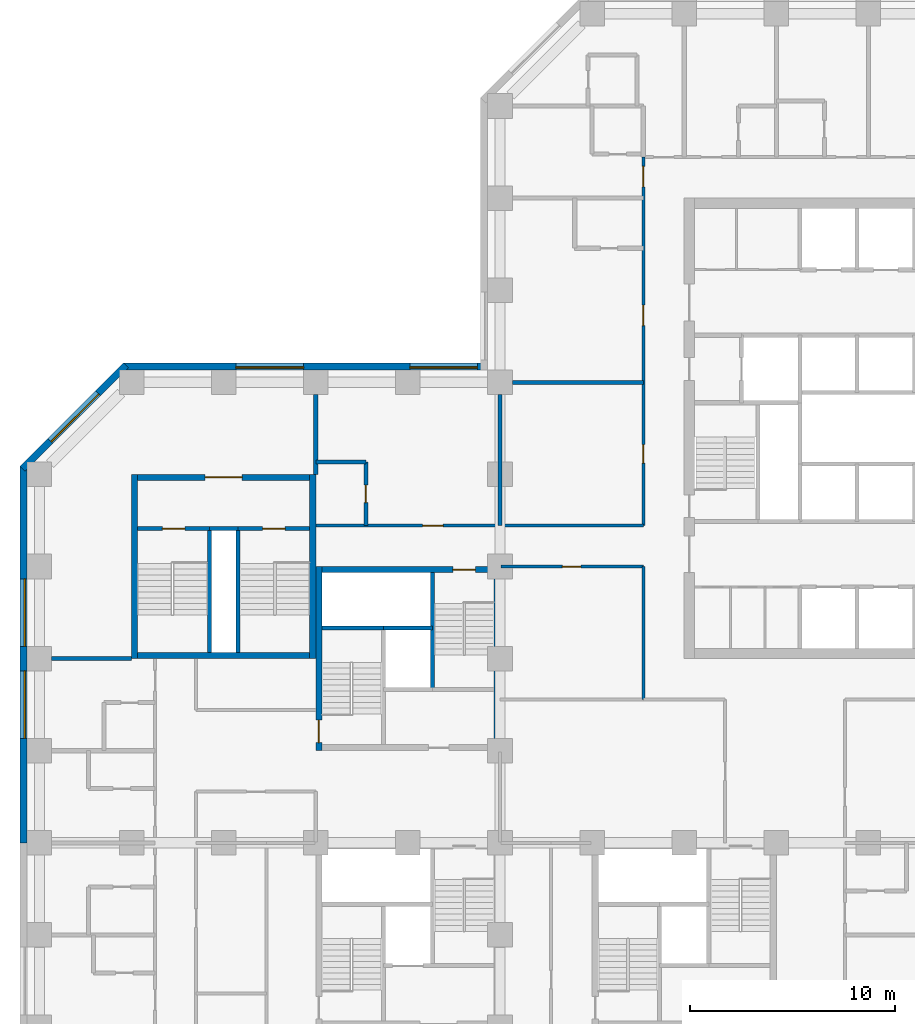
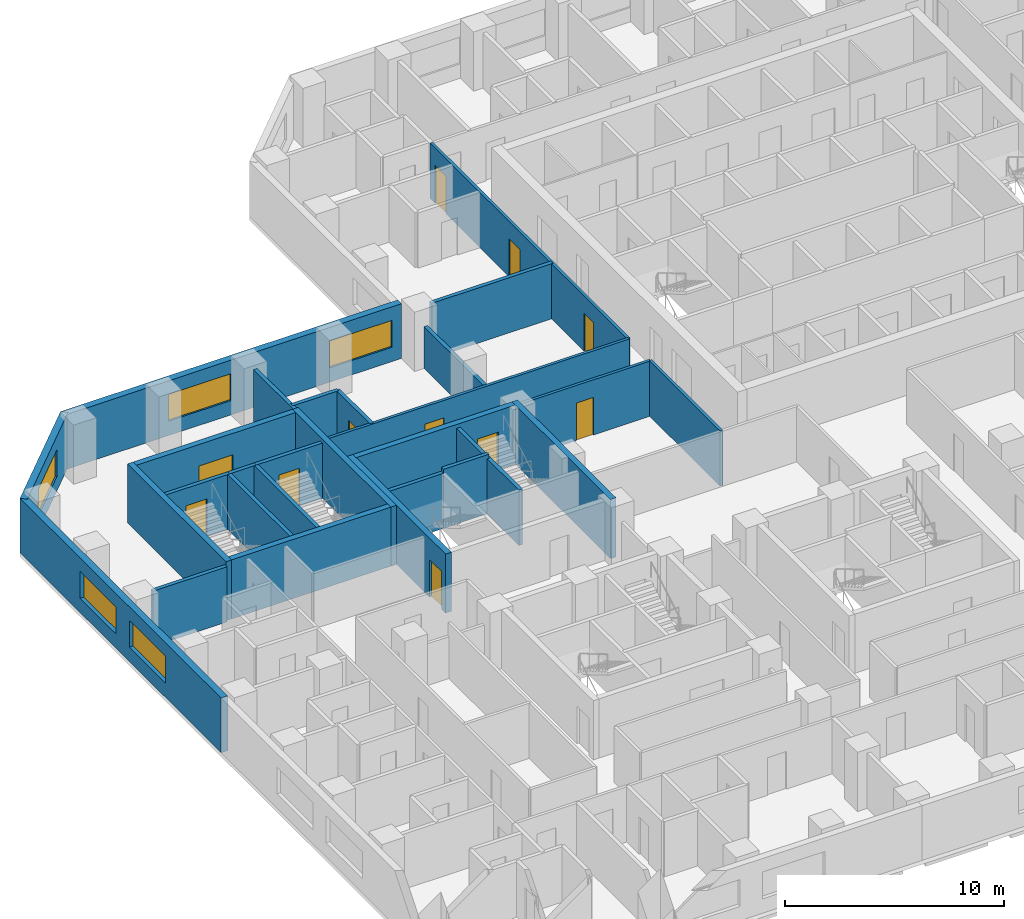
# One storey, part 6 of 12: 28 walls, 11 doors, 5 windows, 16 openings.
"""IFC4 building model written with IfcOpenShell, lengths in metres."""

from ifc_helpers import new_model, si_unit, direction, frame, frame_2d, origin, place, context, subcontext, project, spatial, rectangle, extrude, material, layer, layer_set, constituent, constituent_set, type_object, element, fill, save


model = new_model("IFC4")

# Units and contexts
model_context = context("Model", 3, precision=1e-05, world=origin(), true_north=direction((0.0, 1.0)))
body_context = subcontext(model_context, "Body", "Model", "MODEL_VIEW")
ifc_project = project(units=[si_unit("LENGTHUNIT", "METRE"), si_unit("AREAUNIT", "SQUARE_METRE"), si_unit("VOLUMEUNIT", "CUBIC_METRE"), si_unit("PLANEANGLEUNIT", "RADIAN"), si_unit("MASSUNIT", "GRAM", prefix="KILO")], contexts=[model_context])

# Site, building, storey
site_placement = place(None, origin())
site = spatial("IfcSite", under=ifc_project, at=site_placement, CompositionType="ELEMENT")
building_placement = place(site_placement, origin())
building = spatial("IfcBuilding", under=site, at=building_placement, Name="Quoin Convention Tower", CompositionType="ELEMENT")
storey_placement = place(building_placement, frame((0.0, 0.0, 33.0)))
storey = spatial("IfcBuildingStorey", under=building, at=storey_placement, Name="L07", CompositionType="ELEMENT", Elevation=33.0)

# Wall, openings, windows
ifc_material_1 = material(Name="Brick masonry", Category="masonry")
ifc_layer_1 = layer(ifc_material_1, 0.35009765625)
ifc_layer_set_1 = layer_set([ifc_layer_1], Name="Brick masonry")
wall_type_1 = type_object("IfcWallType", Name="Brick facade wall", PredefinedType="STANDARD", material=ifc_layer_set_1)
wall_1_placement = place(storey_placement, frame((35.39990234375, 63.77490234375, 0.0), z_axis=(0.0, 0.0, 1.0), x_axis=(-1.0, 0.0, 0.0)))
wall_1 = element("IfcWall", 1, at=wall_1_placement, inside=storey, type_object=wall_type_1, Name="fw-L07-36000_63000", PredefinedType="STANDARD", context=body_context, shape_type="SweptSolid", body=[
    extrude(rectangle(XDim=17.79345703125, YDim=0.35009765625, at=frame_2d((8.896728515625, 0.0))), origin(), (0.0, 0.0, 1.0), 3.054931640625),
])
opening_1_placement = place(wall_1_placement, frame((0.5, 0.0, 0.800048828125)))
opening_1 = element("IfcOpeningElement", 2, at=opening_1_placement, cuts=wall_1, Name="Opening W-01", PredefinedType="OPENING", context=body_context, shape_type="SweptSolid", body=[
    extrude(rectangle(XDim=3.300048828125, YDim=1.5, at=frame_2d((1.64990234375, 0.75))), frame((0.0, 0.18505859375, 0.0), z_axis=(0.0, -1.0, 0.0), x_axis=(1.0, 0.0, 0.0)), (0.0, 0.0, 1.0), 0.3701171875),
])
opening_2_placement = place(wall_1_placement, frame((9.0, 0.0, 0.800048828125)))
opening_2 = element("IfcOpeningElement", 3, at=opening_2_placement, cuts=wall_1, Name="Opening W-01", PredefinedType="OPENING", context=body_context, shape_type="SweptSolid", body=[
    extrude(rectangle(XDim=3.300048828125, YDim=1.5, at=frame_2d((1.64990234375, 0.75))), frame((0.0, 0.18505859375, 0.0), z_axis=(0.0, -1.0, 0.0), x_axis=(1.0, 0.0, 0.0)), (0.0, 0.0, 1.0), 0.3701171875),
])
ifc_material_2 = material(Name="Aluminium", Category="aluminium")
ifc_constituent_1 = constituent(ifc_material_2, Name="Frame")
ifc_material_3 = material(Name="Insulated glass", Category="glass")
ifc_constituent_2 = constituent(ifc_material_3, Name="Glazing")
ifc_constituent_set = constituent_set(constituents=[ifc_constituent_1, ifc_constituent_2], Name="Aluminium")
window_type = type_object("IfcWindowType", Name="Hotel strip window", PartitioningType="DOUBLE_PANEL_VERTICAL", PredefinedType="WINDOW", material=ifc_constituent_set)
window_1_placement = place(opening_1_placement, origin())
window_1 = element("IfcWindow", 4, at=window_1_placement, inside=storey, type_object=window_type, Name="win-L07-33750_63775", OverallHeight=1.5, OverallWidth=3.300048828125, PartitioningType="SINGLE_PANEL", PredefinedType="WINDOW", context=body_context, shape_type="SweptSolid", body=[
    extrude(rectangle(XDim=3.300048828125, YDim=1.5, at=frame_2d((1.64990234375, 0.75))), frame((0.0, 0.0849609375, 0.0), z_axis=(0.0, -1.0, 0.0), x_axis=(1.0, 0.0, 0.0)), (0.0, 0.0, 1.0), 0.06005859375),
])
fill(opening_1, window_1)
window_2_placement = place(opening_2_placement, origin())
window_2 = element("IfcWindow", 5, at=window_2_placement, inside=storey, type_object=window_type, Name="win-L07-24750_63775", OverallHeight=1.5, OverallWidth=3.300048828125, PartitioningType="SINGLE_PANEL", PredefinedType="WINDOW", context=body_context, shape_type="SweptSolid", body=[
    extrude(rectangle(XDim=3.300048828125, YDim=1.5, at=frame_2d((1.64990234375, 0.75))), frame((0.0, 0.0849609375, 0.0), z_axis=(0.0, -1.0, 0.0), x_axis=(1.0, 0.0, 0.0)), (0.0, 0.0, 1.0), 0.06005859375),
])
fill(opening_2, window_2)

# Wall, opening, window
wall_2_placement = place(storey_placement, frame((17.730224609375, 63.826416015625, 0.0), z_axis=(0.0, 0.0, 1.0), x_axis=(-0.707106781187, -0.707106781187, 0.0)))
wall_2 = element("IfcWall", 6, at=wall_2_placement, inside=storey, type_object=wall_type_1, Name="fw-L07-18000_63000", PredefinedType="STANDARD", context=body_context, shape_type="SweptSolid", body=[
    extrude(rectangle(XDim=7.151123046875, YDim=0.35009765625, at=frame_2d((3.57568359375, 0.0))), origin(), (0.0, 0.0, 1.0), 3.054931640625),
])
opening_3_placement = place(wall_2_placement, frame((1.925537109375, 0.0, 0.800048828125)))
opening_3 = element("IfcOpeningElement", 7, at=opening_3_placement, cuts=wall_2, Name="Opening W-01", PredefinedType="OPENING", context=body_context, shape_type="SweptSolid", body=[
    extrude(rectangle(XDim=3.300048828125, YDim=1.5, at=frame_2d((1.64990234375, 0.75))), frame((0.0, 0.18505859375, 0.0), z_axis=(0.0, -1.0, 0.0), x_axis=(1.0, 0.0, 0.0)), (0.0, 0.0, 1.0), 0.3701171875),
])
window_3_placement = place(opening_3_placement, origin())
window_3 = element("IfcWindow", 8, at=window_3_placement, inside=storey, type_object=window_type, Name="win-L07-15202_61298", OverallHeight=1.5, OverallWidth=3.300048828125, PartitioningType="SINGLE_PANEL", PredefinedType="WINDOW", context=body_context, shape_type="SweptSolid", body=[
    extrude(rectangle(XDim=3.300048828125, YDim=1.5, at=frame_2d((1.64990234375, 0.75))), frame((0.0, 0.0849609375, 0.0), z_axis=(0.0, -1.0, 0.0), x_axis=(1.0, 0.0, 0.0)), (0.0, 0.0, 1.0), 0.06005859375),
])
fill(opening_3, window_3)

# Wall, openings, windows
wall_3_placement = place(storey_placement, frame((12.72509765625, 58.8935546875, 0.0), z_axis=(0.0, 0.0, 1.0), x_axis=(0.0, -1.0, 0.0)))
wall_3 = element("IfcWall", 9, at=wall_3_placement, inside=storey, type_object=wall_type_1, Name="fw-L07-13500_58500", PredefinedType="STANDARD", context=body_context, shape_type="SweptSolid", body=[
    extrude(rectangle(XDim=18.3935546875, YDim=0.35009765625, at=frame_2d((9.19677734375, 0.0))), origin(), (0.0, 0.0, 1.0), 3.054931640625),
])
opening_4_placement = place(wall_3_placement, frame((5.493408203125, 0.0, 0.800048828125)))
opening_4 = element("IfcOpeningElement", 10, at=opening_4_placement, cuts=wall_3, Name="Opening W-01", PredefinedType="OPENING", context=body_context, shape_type="SweptSolid", body=[
    extrude(rectangle(XDim=3.300048828125, YDim=1.5, at=frame_2d((1.64990234375, 0.75))), frame((0.0, 0.18505859375, 0.0), z_axis=(0.0, -1.0, 0.0), x_axis=(1.0, 0.0, 0.0)), (0.0, 0.0, 1.0), 0.3701171875),
])
opening_5_placement = place(wall_3_placement, frame((9.993408203125, 0.0, 0.800048828125)))
opening_5 = element("IfcOpeningElement", 11, at=opening_5_placement, cuts=wall_3, Name="Opening W-01", PredefinedType="OPENING", context=body_context, shape_type="SweptSolid", body=[
    extrude(rectangle(XDim=3.300048828125, YDim=1.5, at=frame_2d((1.64990234375, 0.75))), frame((0.0, 0.18505859375, 0.0), z_axis=(0.0, -1.0, 0.0), x_axis=(1.0, 0.0, 0.0)), (0.0, 0.0, 1.0), 0.3701171875),
])
window_4_placement = place(opening_4_placement, origin())
window_4 = element("IfcWindow", 12, at=window_4_placement, inside=storey, type_object=window_type, Name="win-L07-12725_51750", OverallHeight=1.5, OverallWidth=3.300048828125, PartitioningType="SINGLE_PANEL", PredefinedType="WINDOW", context=body_context, shape_type="SweptSolid", body=[
    extrude(rectangle(XDim=3.300048828125, YDim=1.5, at=frame_2d((1.64990234375, 0.75))), frame((0.0, 0.0849609375, 0.0), z_axis=(0.0, -1.0, 0.0), x_axis=(1.0, 0.0, 0.0)), (0.0, 0.0, 1.0), 0.06005859375),
])
fill(opening_4, window_4)
window_5_placement = place(opening_5_placement, origin())
window_5 = element("IfcWindow", 13, at=window_5_placement, inside=storey, type_object=window_type, Name="win-L07-12725_47250", OverallHeight=1.5, OverallWidth=3.300048828125, PartitioningType="SINGLE_PANEL", PredefinedType="WINDOW", context=body_context, shape_type="SweptSolid", body=[
    extrude(rectangle(XDim=3.300048828125, YDim=1.5, at=frame_2d((1.64990234375, 0.75))), frame((0.0, 0.0849609375, 0.0), z_axis=(0.0, -1.0, 0.0), x_axis=(1.0, 0.0, 0.0)), (0.0, 0.0, 1.0), 0.06005859375),
])
fill(opening_5, window_5)

# Walls
ifc_material_4 = material(Name="Concrete C50", Category="concrete")
ifc_layer_2 = layer(ifc_material_4, 0.199951171875)
ifc_layer_set_2 = layer_set([ifc_layer_2], Name="Concrete C50")
wall_type_2 = type_object("IfcWallType", Name="Core shaft wall", PredefinedType="SOLIDWALL", material=ifc_layer_set_2)
wall_4_placement = place(storey_placement, frame((27.300048828125, 51.0, 0.0), z_axis=(0.0, 0.0, 1.0), x_axis=(1.0, 0.0, 0.0)))
element("IfcWall", 14, at=wall_4_placement, inside=storey, type_object=wall_type_2, Name="cr-P2-L07-h6000_300", PredefinedType="SOLIDWALL", context=body_context, shape_type="SweptSolid", body=[
    extrude(rectangle(XDim=3.0, YDim=0.199951171875, at=frame_2d((1.5, 0.0))), origin(), (0.0, 0.0, 1.0), 3.080078125),
])
wall_5_placement = place(storey_placement, frame((32.699951171875, 48.0, 0.0), z_axis=(0.0, 0.0, 1.0), x_axis=(0.0, 1.0, 0.0)))
element("IfcWall", 15, at=wall_5_placement, inside=storey, type_object=wall_type_2, Name="cr-P2-L07-v5700_3000", PredefinedType="SOLIDWALL", context=body_context, shape_type="SweptSolid", body=[
    extrude(rectangle(XDim=5.699951171875, YDim=0.199951171875, at=frame_2d((2.85009765625, 0.0))), origin(), (0.0, 0.0, 1.0), 3.080078125),
])
wall_6_placement = place(storey_placement, frame((21.800048828125, 55.85009765625, 0.0), z_axis=(0.0, 0.0, 1.0), x_axis=(1.0, 0.0, 0.0)))
element("IfcWall", 16, at=wall_6_placement, inside=storey, type_object=wall_type_2, Name="cr-P6-L07-h6350_3800", PredefinedType="SOLIDWALL", context=body_context, shape_type="SweptSolid", body=[
    extrude(rectangle(XDim=1.39990234375, YDim=0.199951171875, at=frame_2d((0.699951171875, 0.0))), origin(), (0.0, 0.0, 1.0), 3.080078125),
])

# Wall, opening, door
wall_7_placement = place(storey_placement, frame((18.300048828125, 55.85009765625, 0.0), z_axis=(0.0, 0.0, 1.0), x_axis=(1.0, 0.0, 0.0)))
wall_7 = element("IfcWall", 17, at=wall_7_placement, inside=storey, type_object=wall_type_2, Name="cr-P6-L07-h6350_300", PredefinedType="SOLIDWALL", context=body_context, shape_type="SweptSolid", body=[
    extrude(rectangle(XDim=3.5, YDim=0.199951171875, at=frame_2d((1.75, 0.0))), origin(), (0.0, 0.0, 1.0), 3.080078125),
])
opening_6_placement = place(wall_7_placement, frame((1.199951171875, 0.0, 0.0)))
opening_6 = element("IfcOpeningElement", 18, at=opening_6_placement, cuts=wall_7, Name="Opening SD11", PredefinedType="OPENING", context=body_context, shape_type="SweptSolid", body=[
    extrude(rectangle(XDim=1.10009765625, YDim=2.10009765625, at=frame_2d((0.550048828125, 1.050048828125))), frame((0.0, 0.10986328125, 0.0), z_axis=(0.0, -1.0, 0.0), x_axis=(1.0, 0.0, 0.0)), (0.0, 0.0, 1.0), 0.219970703125),
])
ifc_material_5 = material(Name="Steel door leaf", Category="steel")
door_type_1 = type_object("IfcDoorType", Name="Stair door 1100 x 2100", OperationType="SINGLE_SWING_RIGHT", PredefinedType="DOOR", material=ifc_material_5)
door_1_placement = place(opening_6_placement, origin())
door_1 = element("IfcDoor", 19, at=door_1_placement, inside=storey, type_object=door_type_1, Name="cd-P6-L07-SA-R2-SD11", OperationType="SINGLE_SWING_RIGHT", OverallHeight=2.10009765625, OverallWidth=1.10009765625, PredefinedType="DOOR", context=body_context, shape_type="SweptSolid", body=[
    extrude(rectangle(XDim=1.10009765625, YDim=2.10009765625, at=frame_2d((0.550048828125, 1.050048828125))), frame((0.0, 0.02490234375, 0.0), z_axis=(0.0, -1.0, 0.0), x_axis=(1.0, 0.0, 0.0)), (0.0, 0.0, 1.0), 0.050048828125),
])
fill(opening_6, door_1)

wall_8_placement = place(storey_placement, frame((23.199951171875, 55.85009765625, 0.0), z_axis=(0.0, 0.0, 1.0), x_axis=(1.0, 0.0, 0.0)))
wall_8 = element("IfcWall", 20, at=wall_8_placement, inside=storey, type_object=wall_type_2, Name="cr-P6-L07-h6350_5200", PredefinedType="SOLIDWALL", context=body_context, shape_type="SweptSolid", body=[
    extrude(rectangle(XDim=3.5, YDim=0.199951171875, at=frame_2d((1.75, 0.0))), origin(), (0.0, 0.0, 1.0), 3.080078125),
])
opening_7_placement = place(wall_8_placement, frame((1.199951171875, 0.0, 0.0)))
opening_7 = element("IfcOpeningElement", 21, at=opening_7_placement, cuts=wall_8, Name="Opening SD12", PredefinedType="OPENING", context=body_context, shape_type="SweptSolid", body=[
    extrude(rectangle(XDim=1.10009765625, YDim=2.10009765625, at=frame_2d((0.550048828125, 1.050048828125))), frame((0.0, 0.10986328125, 0.0), z_axis=(0.0, -1.0, 0.0), x_axis=(1.0, 0.0, 0.0)), (0.0, 0.0, 1.0), 0.219970703125),
])
door_2_placement = place(opening_7_placement, origin())
door_2 = element("IfcDoor", 22, at=door_2_placement, inside=storey, type_object=door_type_1, Name="cd-P6-L07-SB-R2-SD12", OperationType="SINGLE_SWING_RIGHT", OverallHeight=2.10009765625, OverallWidth=1.10009765625, PredefinedType="DOOR", context=body_context, shape_type="SweptSolid", body=[
    extrude(rectangle(XDim=1.10009765625, YDim=2.10009765625, at=frame_2d((0.550048828125, 1.050048828125))), frame((0.0, 0.02490234375, 0.0), z_axis=(0.0, -1.0, 0.0), x_axis=(1.0, 0.0, 0.0)), (0.0, 0.0, 1.0), 0.050048828125),
])
fill(opening_7, door_2)

# Walls
for number, where, z_axis, x_axis, name in (
    (23, (21.800048828125, 49.800048828125, 0.0), (0.0, 0.0, 1.0), (0.0, 1.0, 0.0), "cr-P6-L07-v3800_300"),
    (24, (23.199951171875, 49.800048828125, 0.0), (0.0, 0.0, 1.0), (0.0, 1.0, 0.0), "cr-P6-L07-v5200_300"),
):
    element("IfcWall", number, at=place(storey_placement, frame(where, z_axis=z_axis, x_axis=x_axis)), inside=storey, type_object=wall_type_2, Name=name, PredefinedType="SOLIDWALL", context=body_context, shape_type="SweptSolid", body=[
        extrude(rectangle(XDim=6.050048828125, YDim=0.199951171875, at=frame_2d((3.02490234375, 0.0))), origin(), (0.0, 0.0, 1.0), 3.080078125),
    ])
ifc_layer_3 = layer(ifc_material_4, 0.199951171875)
ifc_layer_set_3 = layer_set([ifc_layer_3], Name="Concrete C50")
wall_type_3 = type_object("IfcWallType", Name="Core shaft wall to the floor level over", PredefinedType="SOLIDWALL", material=ifc_layer_set_3)
wall_9_placement = place(storey_placement, frame((30.300048828125, 51.0, 0.0), z_axis=(0.0, 0.0, 1.0), x_axis=(1.0, 0.0, 0.0)))
element("IfcWall", 25, at=wall_9_placement, inside=storey, type_object=wall_type_3, Name="cr-P2-L07-h6000_3300", PredefinedType="SOLIDWALL", context=body_context, shape_type="SweptSolid", body=[
    extrude(rectangle(XDim=2.39990234375, YDim=0.199951171875, at=frame_2d((1.199951171875, 0.0))), origin(), (0.0, 0.0, 1.0), 3.300048828125),
])

# Wall, opening, door
ifc_material_6 = material(Name="Concrete C80", Category="concrete")
ifc_layer_4 = layer(ifc_material_6, 0.300048828125)
ifc_layer_set_4 = layer_set([ifc_layer_4], Name="Concrete C80")
wall_type_4 = type_object("IfcWallType", Name="RC CORE WALL 300 C80", PredefinedType="SHEAR", material=ifc_layer_set_4)
wall_10_placement = place(storey_placement, frame((27.300048828125, 53.85009765625, 0.0), z_axis=(0.0, 0.0, 1.0), x_axis=(1.0, 0.0, 0.0)))
wall_10 = element("IfcWall", 26, at=wall_10_placement, inside=storey, type_object=wall_type_4, Name="cwl-P2-L07-N", PredefinedType="SHEAR", context=body_context, shape_type="SweptSolid", body=[
    extrude(rectangle(XDim=8.39990234375, YDim=0.300048828125, at=frame_2d((4.199951171875, 0.0))), origin(), (0.0, 0.0, 1.0), 3.300048828125),
])
opening_8_placement = place(wall_10_placement, frame((6.39990234375, 0.0, 0.0)))
opening_8 = element("IfcOpeningElement", 27, at=opening_8_placement, cuts=wall_10, Name="Opening SD4", PredefinedType="OPENING", context=body_context, shape_type="SweptSolid", body=[
    extrude(rectangle(XDim=1.10009765625, YDim=2.10009765625, at=frame_2d((0.550048828125, 1.050048828125))), frame((0.0, 0.159912109375, 0.0), z_axis=(0.0, -1.0, 0.0), x_axis=(1.0, 0.0, 0.0)), (0.0, 0.0, 1.0), 0.320068359375),
])
door_3_placement = place(opening_8_placement, frame((1.10009765625, 0.0, 0.0), z_axis=(0.0, 0.0, 1.0), x_axis=(-1.0, 0.0, 0.0)))
door_3 = element("IfcDoor", 28, at=door_3_placement, inside=storey, type_object=door_type_1, Name="cd-P2-L07-SB-N", OperationType="SINGLE_SWING_LEFT", OverallHeight=2.10009765625, OverallWidth=1.10009765625, PredefinedType="DOOR", context=body_context, shape_type="SweptSolid", body=[
    extrude(rectangle(XDim=1.10009765625, YDim=2.10009765625, at=frame_2d((0.550048828125, 1.050048828125))), frame((0.0, 0.02490234375, 0.0), z_axis=(0.0, -1.0, 0.0), x_axis=(1.0, 0.0, 0.0)), (0.0, 0.0, 1.0), 0.050048828125),
])
fill(opening_8, door_3)

wall_11_placement = place(storey_placement, frame((27.14990234375, 45.0, 0.0), z_axis=(0.0, 0.0, 1.0), x_axis=(0.0, 1.0, 0.0)))
wall_11 = element("IfcWall", 29, at=wall_11_placement, inside=storey, type_object=wall_type_4, Name="cwl-P2-L07-W", PredefinedType="SHEAR", context=body_context, shape_type="SweptSolid", body=[
    extrude(rectangle(XDim=9.0, YDim=0.300048828125, at=frame_2d((4.5, 0.0))), origin(), (0.0, 0.0, 1.0), 3.300048828125),
])
opening_9_placement = place(wall_11_placement, frame((0.39990234375, 0.0, 0.0)))
opening_9 = element("IfcOpeningElement", 30, at=opening_9_placement, cuts=wall_11, Name="Opening SD3", PredefinedType="OPENING", context=body_context, shape_type="SweptSolid", body=[
    extrude(rectangle(XDim=1.10009765625, YDim=2.10009765625, at=frame_2d((0.550048828125, 1.050048828125))), frame((0.0, 0.159912109375, 0.0), z_axis=(0.0, -1.0, 0.0), x_axis=(1.0, 0.0, 0.0)), (0.0, 0.0, 1.0), 0.320068359375),
])
door_4_placement = place(opening_9_placement, frame((1.10009765625, 0.0, 0.0), z_axis=(0.0, 0.0, 1.0), x_axis=(-1.0, 0.0, 0.0)))
door_4 = element("IfcDoor", 31, at=door_4_placement, inside=storey, type_object=door_type_1, Name="cd-P2-L07-SA-W", OperationType="SINGLE_SWING_RIGHT", OverallHeight=2.10009765625, OverallWidth=1.10009765625, PredefinedType="DOOR", context=body_context, shape_type="SweptSolid", body=[
    extrude(rectangle(XDim=1.10009765625, YDim=2.10009765625, at=frame_2d((0.550048828125, 1.050048828125))), frame((0.0, 0.02490234375, 0.0), z_axis=(0.0, -1.0, 0.0), x_axis=(1.0, 0.0, 0.0)), (0.0, 0.0, 1.0), 0.050048828125),
])
fill(opening_9, door_4)

# Walls
wall_12_placement = place(storey_placement, frame((35.85009765625, 45.0, 0.0), z_axis=(0.0, 0.0, 1.0), x_axis=(0.0, 1.0, 0.0)))
element("IfcWall", 32, at=wall_12_placement, inside=storey, type_object=wall_type_4, Name="cwl-P2-L07-E", PredefinedType="SHEAR", context=body_context, shape_type="SweptSolid", body=[
    extrude(rectangle(XDim=9.0, YDim=0.300048828125, at=frame_2d((4.5, 0.0))), origin(), (0.0, 0.0, 1.0), 3.300048828125),
])
wall_13_placement = place(storey_placement, frame((18.300048828125, 49.64990234375, 0.0), z_axis=(0.0, 0.0, 1.0), x_axis=(1.0, 0.0, 0.0)))
element("IfcWall", 33, at=wall_13_placement, inside=storey, type_object=wall_type_4, Name="cwl-P6-L07-S", PredefinedType="SHEAR", context=body_context, shape_type="SweptSolid", body=[
    extrude(rectangle(XDim=8.39990234375, YDim=0.300048828125, at=frame_2d((4.199951171875, 0.0))), origin(), (0.0, 0.0, 1.0), 3.300048828125),
])

# Wall, opening, door
wall_14_placement = place(storey_placement, frame((18.300048828125, 58.35009765625, 0.0), z_axis=(0.0, 0.0, 1.0), x_axis=(1.0, 0.0, 0.0)))
wall_14 = element("IfcWall", 34, at=wall_14_placement, inside=storey, type_object=wall_type_4, Name="cwl-P6-L07-N", PredefinedType="SHEAR", context=body_context, shape_type="SweptSolid", body=[
    extrude(rectangle(XDim=8.39990234375, YDim=0.300048828125, at=frame_2d((4.199951171875, 0.0))), origin(), (0.0, 0.0, 1.0), 3.300048828125),
])
opening_10_placement = place(wall_14_placement, frame((3.300048828125, 0.0, 0.0)))
opening_10 = element("IfcOpeningElement", 35, at=opening_10_placement, cuts=wall_14, Name="Opening DCV3-45", PredefinedType="OPENING", context=body_context, shape_type="SweptSolid", body=[
    extrude(rectangle(XDim=1.800048828125, YDim=2.10009765625, at=frame_2d((0.89990234375, 1.050048828125))), frame((0.0, 0.159912109375, 0.0), z_axis=(0.0, -1.0, 0.0), x_axis=(1.0, 0.0, 0.0)), (0.0, 0.0, 1.0), 0.320068359375),
])
door_type_2 = type_object("IfcDoorType", Name="Goods lobby door 1800 x 2100", OperationType="SINGLE_SWING_LEFT", PredefinedType="DOOR", material=ifc_material_5)
door_5_placement = place(opening_10_placement, origin())
door_5 = element("IfcDoor", 36, at=door_5_placement, inside=storey, type_object=door_type_2, Name="cd-P6-L07-R2-N", OperationType="SINGLE_SWING_RIGHT", OverallHeight=2.10009765625, OverallWidth=1.800048828125, PredefinedType="DOOR", context=body_context, shape_type="SweptSolid", body=[
    extrude(rectangle(XDim=1.800048828125, YDim=2.10009765625, at=frame_2d((0.89990234375, 1.050048828125))), frame((0.0, 0.02490234375, 0.0), z_axis=(0.0, -1.0, 0.0), x_axis=(1.0, 0.0, 0.0)), (0.0, 0.0, 1.0), 0.050048828125),
])
fill(opening_10, door_5)

# Walls
for number, where, z_axis, x_axis, name in (
    (37, (18.14990234375, 49.5, 0.0), (0.0, 0.0, 1.0), (0.0, 1.0, 0.0), "cwl-P6-L07-W"),
    (38, (26.85009765625, 49.5, 0.0), (0.0, 0.0, 1.0), (0.0, 1.0, 0.0), "cwl-P6-L07-E"),
):
    element("IfcWall", number, at=place(storey_placement, frame(where, z_axis=z_axis, x_axis=x_axis)), inside=storey, type_object=wall_type_4, Name=name, PredefinedType="SHEAR", context=body_context, shape_type="SweptSolid", body=[
        extrude(rectangle(XDim=9.0, YDim=0.300048828125, at=frame_2d((4.5, 0.0))), origin(), (0.0, 0.0, 1.0), 3.300048828125),
    ])
ifc_layer_5 = layer(ifc_material_4, 0.199951171875)
ifc_layer_set_5 = layer_set([ifc_layer_5], Name="Concrete C50")
wall_type_5 = type_object("IfcWallType", Name="RC party wall", PredefinedType="SOLIDWALL", material=ifc_layer_set_5)
for number, where, z_axis, x_axis, name in (
    (39, (14.10009765625, 49.5, 0.0), (0.0, 0.0, 1.0), (1.0, 0.0, 0.0), "pw-L07-093"),
    (40, (27.0, 58.5, 0.0), (0.0, 0.0, 1.0), (0.0, 1.0, 0.0), "pw-L07-104"),
):
    element("IfcWall", number, at=place(storey_placement, frame(where, z_axis=z_axis, x_axis=x_axis)), inside=storey, type_object=wall_type_5, Name=name, PredefinedType="SOLIDWALL", context=body_context, shape_type="SweptSolid", body=[
        extrude(rectangle(XDim=3.89990234375, YDim=0.199951171875, at=frame_2d((1.949951171875, 0.0))), origin(), (0.0, 0.0, 1.0), 3.080078125),
    ])

# Wall, opening, door
wall_15_placement = place(storey_placement, frame((29.449951171875, 56.0, 0.0), z_axis=(0.0, 0.0, 1.0), x_axis=(0.0, 1.0, 0.0)))
wall_15 = element("IfcWall", 41, at=wall_15_placement, inside=storey, type_object=wall_type_5, Name="pw-L07-105", PredefinedType="SOLIDWALL", context=body_context, shape_type="SweptSolid", body=[
    extrude(rectangle(XDim=3.10009765625, YDim=0.199951171875, at=frame_2d((1.550048828125, 0.0))), origin(), (0.0, 0.0, 1.0), 3.080078125),
])
opening_11_placement = place(wall_15_placement, frame((1.125, 0.0, 0.0)))
opening_11 = element("IfcOpeningElement", 42, at=opening_11_placement, cuts=wall_15, Name="Opening DHOTEL-C-61", PredefinedType="OPENING", context=body_context, shape_type="SweptSolid", body=[
    extrude(rectangle(XDim=0.85009765625, YDim=2.10009765625, at=frame_2d((0.425048828125, 1.050048828125))), frame((0.0, 0.10986328125, 0.0), z_axis=(0.0, -1.0, 0.0), x_axis=(1.0, 0.0, 0.0)), (0.0, 0.0, 1.0), 0.219970703125),
])
door_type_3 = type_object("IfcDoorType", Name="Bathroom door", OperationType="SINGLE_SWING_LEFT", PredefinedType="DOOR", material=ifc_material_5)
door_6_placement = place(opening_11_placement, frame((0.85009765625, 0.0, 0.0), z_axis=(0.0, 0.0, 1.0), x_axis=(-1.0, 0.0, 0.0)))
door_6 = element("IfcDoor", 43, at=door_6_placement, inside=storey, type_object=door_type_3, Name="dr-L07-030", OperationType="SINGLE_SWING_RIGHT", OverallHeight=2.10009765625, OverallWidth=0.85009765625, PredefinedType="DOOR", context=body_context, shape_type="SweptSolid", body=[
    extrude(rectangle(XDim=0.85009765625, YDim=2.10009765625, at=frame_2d((0.425048828125, 1.050048828125))), frame((0.0, 0.02490234375, 0.0), z_axis=(0.0, -1.0, 0.0), x_axis=(1.0, 0.0, 0.0)), (0.0, 0.0, 1.0), 0.050048828125),
])
fill(opening_11, door_6)

# Walls
wall_16_placement = place(storey_placement, frame((27.0, 59.10009765625, 0.0), z_axis=(0.0, 0.0, 1.0), x_axis=(1.0, 0.0, 0.0)))
element("IfcWall", 44, at=wall_16_placement, inside=storey, type_object=wall_type_5, Name="pw-L07-110", PredefinedType="SOLIDWALL", context=body_context, shape_type="SweptSolid", body=[
    extrude(rectangle(XDim=2.449951171875, YDim=0.199951171875, at=frame_2d((1.22509765625, 0.0))), origin(), (0.0, 0.0, 1.0), 3.080078125),
])
ifc_material_7 = material(Name="Plasterboard")
ifc_layer_6 = layer(ifc_material_7, 0.012451171875, Name="Finish")
ifc_material_8 = material(Name="Steel stud framing", Category="steel")
ifc_layer_7 = layer(ifc_material_8, 0.125, Name="Structure")
ifc_layer_8 = layer(ifc_material_7, 0.012451171875, Name="Finish")
ifc_layer_set_6 = layer_set([ifc_layer_6, ifc_layer_7, ifc_layer_8], Name="Steel stud framing")
wall_type_6 = type_object("IfcWallType", Name="corridor partition", PredefinedType="PARTITIONING", material=ifc_layer_set_6)
wall_17_placement = place(storey_placement, frame((43.0, 47.5, 0.0), z_axis=(0.0, 0.0, 1.0), x_axis=(0.0, 1.0, 0.0)))
element("IfcWall", 45, at=wall_17_placement, inside=storey, type_object=wall_type_6, Name="pw-L07-027", PredefinedType="PARTITIONING", context=body_context, shape_type="SweptSolid", body=[
    extrude(rectangle(XDim=6.5, YDim=0.14990234375, at=frame_2d((3.25, 0.0))), origin(), (0.0, 0.0, 1.0), 3.080078125),
])

# Wall, opening, door
wall_18_placement = place(storey_placement, frame((36.050048828125, 54.0, 0.0), z_axis=(0.0, 0.0, 1.0), x_axis=(1.0, 0.0, 0.0)))
wall_18 = element("IfcWall", 46, at=wall_18_placement, inside=storey, type_object=wall_type_6, Name="pw-L07-031", PredefinedType="PARTITIONING", context=body_context, shape_type="SweptSolid", body=[
    extrude(rectangle(XDim=6.949951171875, YDim=0.14990234375, at=frame_2d((3.47509765625, 0.0))), origin(), (0.0, 0.0, 1.0), 3.080078125),
])
opening_12_placement = place(wall_18_placement, frame((3.0, 0.0, 0.0)))
opening_12 = element("IfcOpeningElement", 47, at=opening_12_placement, cuts=wall_18, Name="Opening DHOTEL-C-30", PredefinedType="OPENING", context=body_context, shape_type="SweptSolid", body=[
    extrude(rectangle(XDim=0.89990234375, YDim=2.10009765625, at=frame_2d((0.449951171875, 1.050048828125))), frame((0.0, 0.0849609375, 0.0), z_axis=(0.0, -1.0, 0.0), x_axis=(1.0, 0.0, 0.0)), (0.0, 0.0, 1.0), 0.169921875),
])
door_type_4 = type_object("IfcDoorType", Name="Single room door", OperationType="SINGLE_SWING_RIGHT", PredefinedType="DOOR", material=ifc_material_5)
door_7_placement = place(opening_12_placement, frame((0.89990234375, 0.0, 0.0), z_axis=(0.0, 0.0, 1.0), x_axis=(-1.0, 0.0, 0.0)))
door_7 = element("IfcDoor", 48, at=door_7_placement, inside=storey, type_object=door_type_4, Name="dr-L07-076", OperationType="SINGLE_SWING_LEFT", OverallHeight=2.10009765625, OverallWidth=0.89990234375, PredefinedType="DOOR", context=body_context, shape_type="SweptSolid", body=[
    extrude(rectangle(XDim=0.89990234375, YDim=2.10009765625, at=frame_2d((0.449951171875, 1.050048828125))), frame((0.0, 0.02490234375, 0.0), z_axis=(0.0, -1.0, 0.0), x_axis=(1.0, 0.0, 0.0)), (0.0, 0.0, 1.0), 0.050048828125),
])
fill(opening_12, door_7)

wall_19_placement = place(storey_placement, frame((27.0, 56.0, 0.0), z_axis=(0.0, 0.0, 1.0), x_axis=(1.0, 0.0, 0.0)))
wall_19 = element("IfcWall", 49, at=wall_19_placement, inside=storey, type_object=wall_type_6, Name="pw-L07-032", PredefinedType="PARTITIONING", context=body_context, shape_type="SweptSolid", body=[
    extrude(rectangle(XDim=16.0, YDim=0.14990234375, at=frame_2d((8.0, 0.0))), origin(), (0.0, 0.0, 1.0), 3.080078125),
])
opening_13_placement = place(wall_19_placement, frame((5.22509765625, 0.0, 0.0)))
opening_13 = element("IfcOpeningElement", 50, at=opening_13_placement, cuts=wall_19, Name="Opening DHOTEL-C-31", PredefinedType="OPENING", context=body_context, shape_type="SweptSolid", body=[
    extrude(rectangle(XDim=1.0, YDim=2.10009765625, at=frame_2d((0.5, 1.050048828125))), frame((0.0, 0.0849609375, 0.0), z_axis=(0.0, -1.0, 0.0), x_axis=(1.0, 0.0, 0.0)), (0.0, 0.0, 1.0), 0.169921875),
])
door_type_5 = type_object("IfcDoorType", Name="Hotel room door", OperationType="SINGLE_SWING_LEFT", PredefinedType="DOOR", material=ifc_material_5)
door_8_placement = place(opening_13_placement, origin())
door_8 = element("IfcDoor", 51, at=door_8_placement, inside=storey, type_object=door_type_5, Name="dr-L07-029", OperationType="SINGLE_SWING_RIGHT", OverallHeight=2.10009765625, OverallWidth=1.0, PredefinedType="DOOR", context=body_context, shape_type="SweptSolid", body=[
    extrude(rectangle(XDim=1.0, YDim=2.10009765625, at=frame_2d((0.5, 1.050048828125))), frame((0.0, 0.02490234375, 0.0), z_axis=(0.0, -1.0, 0.0), x_axis=(1.0, 0.0, 0.0)), (0.0, 0.0, 1.0), 0.050048828125),
])
fill(opening_13, door_8)

# Wall, openings, doors
wall_20_placement = place(storey_placement, frame((43.0, 56.0, 0.0), z_axis=(0.0, 0.0, 1.0), x_axis=(0.0, 1.0, 0.0)))
wall_20 = element("IfcWall", 52, at=wall_20_placement, inside=storey, type_object=wall_type_6, Name="pw-L07-033", PredefinedType="PARTITIONING", context=body_context, shape_type="SweptSolid", body=[
    extrude(rectangle(XDim=18.0, YDim=0.14990234375, at=frame_2d((9.0, 0.0))), origin(), (0.0, 0.0, 1.0), 3.080078125),
])
opening_14_placement = place(wall_20_placement, frame((9.77490234375, 0.0, 0.0)))
opening_14 = element("IfcOpeningElement", 53, at=opening_14_placement, cuts=wall_20, Name="Opening DHOTEL-C-33", PredefinedType="OPENING", context=body_context, shape_type="SweptSolid", body=[
    extrude(rectangle(XDim=1.0, YDim=2.10009765625, at=frame_2d((0.5, 1.050048828125))), frame((0.0, 0.0849609375, 0.0), z_axis=(0.0, -1.0, 0.0), x_axis=(1.0, 0.0, 0.0)), (0.0, 0.0, 1.0), 0.169921875),
])
opening_15_placement = place(wall_20_placement, frame((16.552978515625, 0.0, 0.0)))
opening_15 = element("IfcOpeningElement", 54, at=opening_15_placement, cuts=wall_20, Name="Opening DHOTEL-C-34", PredefinedType="OPENING", context=body_context, shape_type="SweptSolid", body=[
    extrude(rectangle(XDim=1.0, YDim=2.10009765625, at=frame_2d((0.5, 1.050048828125))), frame((0.0, 0.0849609375, 0.0), z_axis=(0.0, -1.0, 0.0), x_axis=(1.0, 0.0, 0.0)), (0.0, 0.0, 1.0), 0.169921875),
])
opening_16_placement = place(wall_20_placement, frame((3.050048828125, 0.0, 0.0)))
opening_16 = element("IfcOpeningElement", 55, at=opening_16_placement, cuts=wall_20, Name="Opening DHOTEL-C-32", PredefinedType="OPENING", context=body_context, shape_type="SweptSolid", body=[
    extrude(rectangle(XDim=0.89990234375, YDim=2.10009765625, at=frame_2d((0.449951171875, 1.050048828125))), frame((0.0, 0.0849609375, 0.0), z_axis=(0.0, -1.0, 0.0), x_axis=(1.0, 0.0, 0.0)), (0.0, 0.0, 1.0), 0.169921875),
])
door_9_placement = place(opening_14_placement, origin())
door_9 = element("IfcDoor", 56, at=door_9_placement, inside=storey, type_object=door_type_5, Name="dr-L07-033", OperationType="SINGLE_SWING_RIGHT", OverallHeight=2.10009765625, OverallWidth=1.0, PredefinedType="DOOR", context=body_context, shape_type="SweptSolid", body=[
    extrude(rectangle(XDim=1.0, YDim=2.10009765625, at=frame_2d((0.5, 1.050048828125))), frame((0.0, 0.02490234375, 0.0), z_axis=(0.0, -1.0, 0.0), x_axis=(1.0, 0.0, 0.0)), (0.0, 0.0, 1.0), 0.050048828125),
])
fill(opening_14, door_9)
door_10_placement = place(opening_15_placement, origin())
door_10 = element("IfcDoor", 57, at=door_10_placement, inside=storey, type_object=door_type_5, Name="dr-L07-035", OperationType="SINGLE_SWING_RIGHT", OverallHeight=2.10009765625, OverallWidth=1.0, PredefinedType="DOOR", context=body_context, shape_type="SweptSolid", body=[
    extrude(rectangle(XDim=1.0, YDim=2.10009765625, at=frame_2d((0.5, 1.050048828125))), frame((0.0, 0.02490234375, 0.0), z_axis=(0.0, -1.0, 0.0), x_axis=(1.0, 0.0, 0.0)), (0.0, 0.0, 1.0), 0.050048828125),
])
fill(opening_15, door_10)
door_11_placement = place(opening_16_placement, origin())
door_11 = element("IfcDoor", 58, at=door_11_placement, inside=storey, type_object=door_type_4, Name="dr-L07-077", OperationType="SINGLE_SWING_RIGHT", OverallHeight=2.10009765625, OverallWidth=0.89990234375, PredefinedType="DOOR", context=body_context, shape_type="SweptSolid", body=[
    extrude(rectangle(XDim=0.89990234375, YDim=2.10009765625, at=frame_2d((0.449951171875, 1.050048828125))), frame((0.0, 0.02490234375, 0.0), z_axis=(0.0, -1.0, 0.0), x_axis=(1.0, 0.0, 0.0)), (0.0, 0.0, 1.0), 0.050048828125),
])
fill(opening_16, door_11)

# Walls
ifc_layer_9 = layer(ifc_material_7, 0.012451171875, Name="Finish")
ifc_layer_10 = layer(ifc_material_8, 0.175048828125, Name="Structure")
ifc_layer_11 = layer(ifc_material_7, 0.012451171875, Name="Finish")
ifc_layer_set_7 = layer_set([ifc_layer_9, ifc_layer_10, ifc_layer_11], Name="Steel stud framing")
wall_type_7 = type_object("IfcWallType", Name="guest room compartment wall", PredefinedType="PARTITIONING", material=ifc_layer_set_7)
wall_21_placement = place(storey_placement, frame((36.60009765625, 63.0, 0.0), z_axis=(0.0, 0.0, 1.0), x_axis=(1.0, 0.0, 0.0)))
element("IfcWall", 59, at=wall_21_placement, inside=storey, type_object=wall_type_7, Name="pw-L07-002", PredefinedType="PARTITIONING", context=body_context, shape_type="SweptSolid", body=[
    extrude(rectangle(XDim=6.39990234375, YDim=0.199951171875, at=frame_2d((3.199951171875, 0.0))), origin(), (0.0, 0.0, 1.0), 3.080078125),
])
ifc_layer_12 = layer(ifc_material_7, 0.012451171875, Name="Finish")
ifc_layer_13 = layer(ifc_material_8, 0.175048828125, Name="Structure")
ifc_layer_14 = layer(ifc_material_7, 0.012451171875, Name="Finish")
ifc_layer_set_8 = layer_set([ifc_layer_12, ifc_layer_13, ifc_layer_14], Name="Steel stud framing")
wall_type_8 = type_object("IfcWallType", Name="guest room compartment wall under beam 750", PredefinedType="PARTITIONING", material=ifc_layer_set_8)
wall_22_placement = place(storey_placement, frame((36.0, 56.0, 0.0), z_axis=(0.0, 0.0, 1.0), x_axis=(0.0, 1.0, 0.0)))
element("IfcWall", 60, at=wall_22_placement, inside=storey, type_object=wall_type_8, Name="pw-L07-001", PredefinedType="PARTITIONING", context=body_context, shape_type="SweptSolid", body=[
    extrude(rectangle(XDim=6.39990234375, YDim=0.199951171875, at=frame_2d((3.199951171875, 0.0))), origin(), (0.0, 0.0, 1.0), 2.330078125),
])

save(model, "model.ifc")
